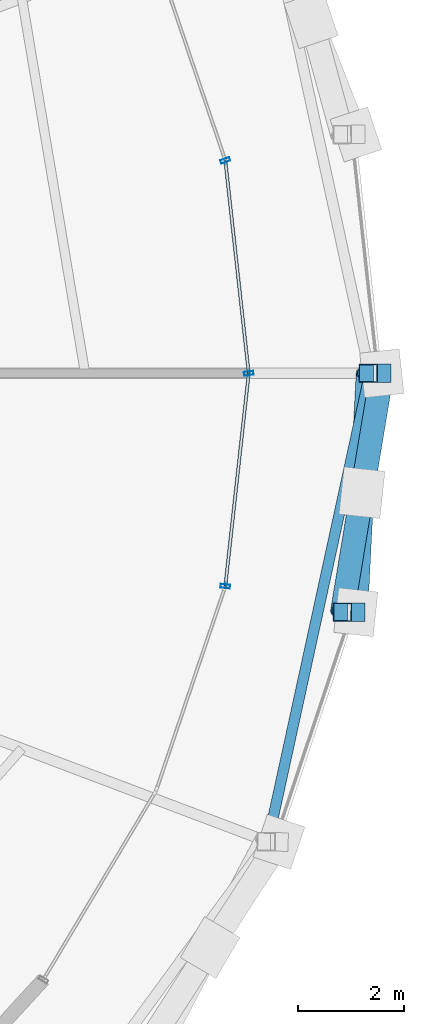
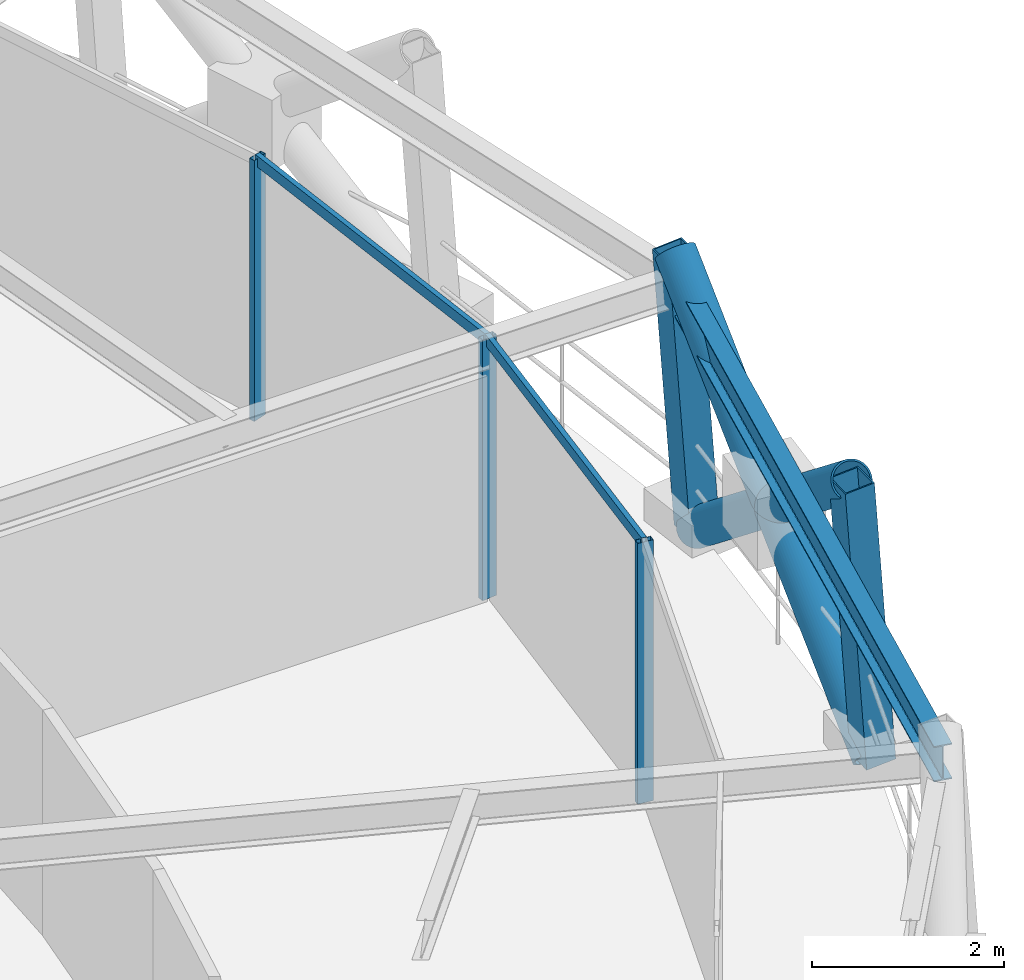
# One storey, part 9 of 17: 10 members, 1 beam, 1 element without a shape of its own.
"""IFC4 building model written with IfcOpenShell, lengths in metres."""

from ifc_helpers import new_model, si_unit, direction, frame, origin, origin_2d, place, context, subcontext, project, spatial, hollow_rectangle, hollow_circle, i_section, extrude, material, layer, layer_set, material_profile, profile_set, type_object, element, aggregate, save


model = new_model("IFC4")

# Units and contexts
model_context = context("Model", 3, precision=1e-05, world=origin(), true_north=direction((0.0, 1.0)))
body_context = subcontext(model_context, "Body", "Model", "MODEL_VIEW")
ifc_project = project(units=[si_unit("LENGTHUNIT", "METRE"), si_unit("AREAUNIT", "SQUARE_METRE"), si_unit("VOLUMEUNIT", "CUBIC_METRE"), si_unit("PLANEANGLEUNIT", "RADIAN"), si_unit("MASSUNIT", "GRAM", prefix="KILO")], contexts=[model_context])

# Site, building, storey
site_placement = place(None, origin())
site = spatial("IfcSite", under=ifc_project, at=site_placement, CompositionType="ELEMENT")
building_placement = place(site_placement, origin())
building = spatial("IfcBuilding", under=site, at=building_placement, Name="Veldorina Hangang Commons", CompositionType="ELEMENT")
storey_placement = place(building_placement, frame((0.0, 0.0, 214.800048828125)))
storey = spatial("IfcBuildingStorey", under=building, at=storey_placement, Name="L55", CompositionType="ELEMENT", Elevation=214.800048828125)

# Beam
ifc_material_1 = material(Name="Steel SM355-TMC", Category="steel")
ifc_material_profile_1 = material_profile(ifc_material_1, i_section(OverallWidth=0.199951171875, OverallDepth=0.449951171875, WebThickness=0.009033203125, FlangeThickness=0.013916015625, FilletRadius=0.01611328125, at=origin_2d()), Name="H-450x200x9x14")
ifc_profile_set_1 = profile_set([ifc_material_profile_1], Name="Steel SM355-TMC")
beam_type = type_object("IfcBeamType", Name="BM-RB450", PredefinedType="BEAM", material=ifc_profile_set_1)
beam_placement = place(storey_placement, frame((55.431884765625, 15.1337890625, 3.135009765625), z_axis=(0.212769204984, 0.977102484599, 0.0), x_axis=(-0.977102484599, 0.212769204984, 0.0)))
element("IfcBeam", 1, at=beam_placement, inside=storey, type_object=beam_type, Name="L55 perimeter hoop ring beam 30", PredefinedType="BEAM", context=body_context, shape_type="SweptSolid", body=[
    extrude(i_section(OverallWidth=0.199951171875, OverallDepth=0.449951171875, WebThickness=0.009033203125, FlangeThickness=0.013916015625, FilletRadius=0.01611328125, at=origin_2d()), origin(), (0.0, 0.0, 1.0), 9.073974609375),
])

# Curtain wall, members
ifc_material_2 = material(Name="Glass Low-E Selective", Category="glass")
ifc_layer = layer(ifc_material_2, 0.179931640625)
ifc_layer_set = layer_set([ifc_layer], Name="Glass Low-E Selective")
curtain_wall_type = type_object("IfcCurtainWallType", Name="CW-SYS-Z3", PredefinedType="NOTDEFINED", material=ifc_layer_set)
curtain_wall_placement = place(storey_placement, origin())
curtain_wall = element("IfcCurtainWall", 2, at=curtain_wall_placement, inside=storey, type_object=curtain_wall_type, Name="L55 unitised curtain wall CW-L55-R2", PredefinedType="NOTDEFINED")
ifc_material_3 = material(Name="Aluminium Anodized AA6063-T6", Category="aluminium")
ifc_material_profile_2 = material_profile(ifc_material_3, hollow_rectangle(XDim=0.070068359375, YDim=0.179931640625, WallThickness=0.00390625, at=origin_2d()), Name="ALU-RHS-180x70x4")
ifc_profile_set_2 = profile_set([ifc_material_profile_2], Name="Aluminium Anodized AA6063-T6")
member_type_1 = type_object("IfcMemberType", Name="CW-MUL-180", PredefinedType="MULLION", material=ifc_profile_set_2)
member_1_placement = place(storey_placement, frame((54.626708984375, 19.9697265625, 0.0), z_axis=(0.0, 0.0, 1.0), x_axis=(0.10933530076, 0.994004925545, 0.0)))
member_1 = element("IfcMember", 3, at=member_1_placement, type_object=member_type_1, Name="CW-L55-R2 vertical mullion 2", PredefinedType="MULLION", context=body_context, shape_type="SweptSolid", body=[
    extrude(hollow_rectangle(XDim=0.070068359375, YDim=0.179931640625, WallThickness=0.00390625, at=origin_2d()), origin(), (0.0, 0.0, 1.0), 3.320068359375),
])
member_2_placement = place(storey_placement, frame((55.070068359375, 24.0, 0.0), z_axis=(0.0, 0.0, 1.0), x_axis=(-0.10933530076, 0.994004925545, 0.0)))
member_2 = element("IfcMember", 4, at=member_2_placement, type_object=member_type_1, Name="CW-L55-R2 vertical mullion 3", PredefinedType="MULLION", context=body_context, shape_type="SweptSolid", body=[
    extrude(hollow_rectangle(XDim=0.070068359375, YDim=0.179931640625, WallThickness=0.00390625, at=origin_2d()), origin(), (0.0, 0.0, 1.0), 3.320068359375),
])
member_3_placement = place(storey_placement, frame((54.626708984375, 28.0302734375, 0.0), z_axis=(0.0, 0.0, 1.0), x_axis=(-0.320827897526, 0.947137508585, 0.0)))
member_3 = element("IfcMember", 5, at=member_3_placement, type_object=member_type_1, Name="CW-L55-R2 vertical mullion 4", PredefinedType="MULLION", context=body_context, shape_type="SweptSolid", body=[
    extrude(hollow_rectangle(XDim=0.070068359375, YDim=0.179931640625, WallThickness=0.00390625, at=origin_2d()), origin(), (0.0, 0.0, 1.0), 3.320068359375),
])
ifc_material_profile_3 = material_profile(ifc_material_3, hollow_rectangle(XDim=0.06005859375, YDim=0.139892578125, WallThickness=0.00341796875, at=origin_2d()), Name="ALU-RHS-140x60x3.5")
ifc_profile_set_3 = profile_set([ifc_material_profile_3], Name="Aluminium Anodized AA6063-T6")
member_type_2 = type_object("IfcMemberType", Name="CW-TRN-140", PredefinedType="USERDEFINED", material=ifc_profile_set_3)
member_4_placement = place(storey_placement, frame((54.626708984375, 19.9697265625, 3.280029296875), z_axis=(0.109347618379, 0.994003570595, 0.0), x_axis=(-0.994003570595, 0.109347618379, 0.0)))
member_4 = element("IfcMember", 6, at=member_4_placement, type_object=member_type_2, Name="CW-L55-R2 facet 3 transom 1", ObjectType="TRANSOM", PredefinedType="USERDEFINED", context=body_context, shape_type="SweptSolid", body=[
    extrude(hollow_rectangle(XDim=0.06005859375, YDim=0.139892578125, WallThickness=0.00341796875, at=origin_2d()), origin(), (0.0, 0.0, 1.0), 4.0546875),
])
member_5_placement = place(storey_placement, frame((55.070068359375, 24.0, 3.280029296875), z_axis=(-0.109347618379, 0.994003570595, 0.0), x_axis=(-0.994003570595, -0.109347618379, 0.0)))
member_5 = element("IfcMember", 7, at=member_5_placement, type_object=member_type_2, Name="CW-L55-R2 facet 4 transom 1", ObjectType="TRANSOM", PredefinedType="USERDEFINED", context=body_context, shape_type="SweptSolid", body=[
    extrude(hollow_rectangle(XDim=0.06005859375, YDim=0.139892578125, WallThickness=0.00341796875, at=origin_2d()), origin(), (0.0, 0.0, 1.0), 4.0546875),
])
aggregate(curtain_wall, [member_1, member_2, member_3, member_4, member_5])

# Members
ifc_material_profile_4 = material_profile(ifc_material_1, hollow_circle(Radius=0.22509765625, WallThickness=0.02197265625, at=origin_2d()), Name="CHS-450x22")
ifc_profile_set_4 = profile_set([ifc_material_profile_4], Name="Steel SM355-TMC")
member_type_3 = type_object("IfcMemberType", Name="DG-CHS450", PredefinedType="BRACE", material=ifc_profile_set_4)
member_6_placement = place(storey_placement, frame((57.098388671875, 19.47802734375, 0.0), z_axis=(0.039800412499, 0.781742566596, 0.622329885782), x_axis=(-0.998706476454, 0.050846572038, 0.0)))
element("IfcMember", 8, at=member_6_placement, inside=storey, type_object=member_type_3, Name="L55 continuous perimeter diagrid brace 31", PredefinedType="BRACE", context=body_context, shape_type="SweptSolid", body=[
    extrude(hollow_circle(Radius=0.22509765625, WallThickness=0.02197265625, at=origin_2d()), origin(), (0.0, 0.0, 1.0), 5.784423828125),
])
member_7_placement = place(storey_placement, frame((57.590087890625, 24.0, 0.0), z_axis=(-0.129266463318, -0.775598779906, 0.617848455585), x_axis=(0.986393923832, -0.164398987305, 0.0)))
element("IfcMember", 9, at=member_7_placement, inside=storey, type_object=member_type_3, Name="L55 split perimeter diagrid lower brace 00", PredefinedType="BRACE", context=body_context, shape_type="SweptSolid", body=[
    extrude(hollow_circle(Radius=0.22509765625, WallThickness=0.02197265625, at=origin_2d()), origin(), (0.0, 0.0, 1.0), 2.914306640625),
])
member_8_placement = place(storey_placement, frame((57.21337890625, 21.73974609375, 1.800537109375), z_axis=(-0.127519718552, -0.775849753766, 0.617896335126), x_axis=(0.986760325198, -0.162185266331, 0.0)))
element("IfcMember", 10, at=member_8_placement, inside=storey, type_object=member_type_3, Name="L55 split perimeter diagrid upper brace 00", PredefinedType="BRACE", context=body_context, shape_type="SweptSolid", body=[
    extrude(hollow_circle(Radius=0.22509765625, WallThickness=0.02197265625, at=origin_2d()), origin(), (0.0, 0.0, 1.0), 2.912109375),
])
ifc_material_profile_5 = material_profile(ifc_material_1, hollow_rectangle(XDim=0.35009765625, YDim=0.35009765625, WallThickness=0.01611328125, at=origin_2d()), Name="SHS-350x350x16")
ifc_profile_set_5 = profile_set([ifc_material_profile_5], Name="Steel SM355-TMC")
member_type_4 = type_object("IfcMemberType", Name="STR-SHS350", PredefinedType="STRUT", material=ifc_profile_set_5)
member_9_placement = place(storey_placement, frame((57.590087890625, 24.0, 0.0), z_axis=(-0.0724439425, 0.0, 0.997372485682), x_axis=(0.0, -1.0, 0.0)))
element("IfcMember", 11, at=member_9_placement, inside=storey, type_object=member_type_4, Name="L55 perimeter ring node post 00", PredefinedType="STRUT", context=body_context, shape_type="SweptSolid", body=[
    extrude(hollow_rectangle(XDim=0.35009765625, YDim=0.35009765625, WallThickness=0.01611328125, at=origin_2d()), origin(), (0.0, 0.0, 1.0), 3.609375),
])
member_10_placement = place(storey_placement, frame((57.098388671875, 19.47802734375, 0.0), z_axis=(-0.071030694868, 0.000676482808, 0.99747390079), x_axis=(-0.009523377634, -0.999954651611, 0.0)))
element("IfcMember", 12, at=member_10_placement, inside=storey, type_object=member_type_4, Name="L55 perimeter ring node post 31", PredefinedType="STRUT", context=body_context, shape_type="SweptSolid", body=[
    extrude(hollow_rectangle(XDim=0.35009765625, YDim=0.35009765625, WallThickness=0.01611328125, at=origin_2d()), origin(), (0.0, 0.0, 1.0), 3.60888671875),
])

save(model, "model.ifc")
